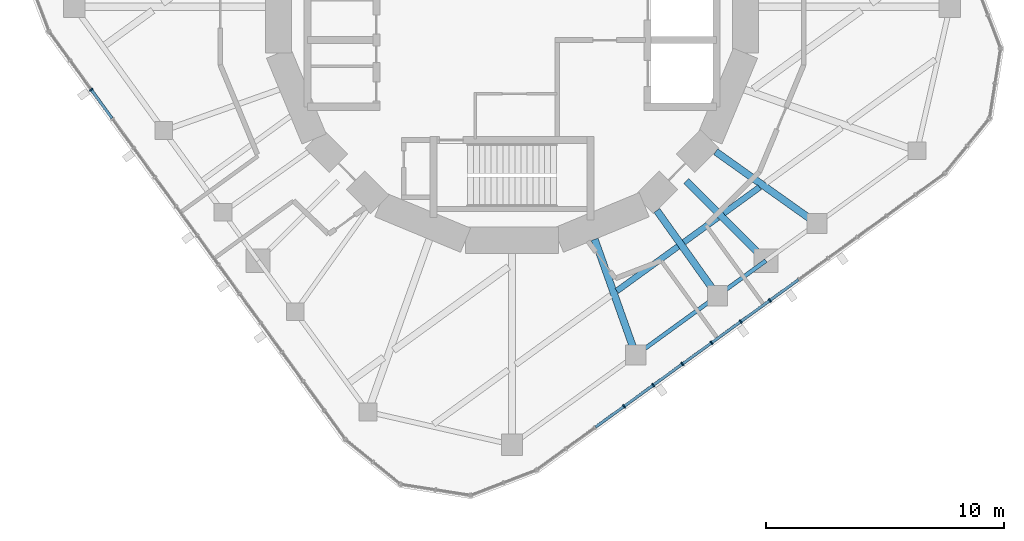
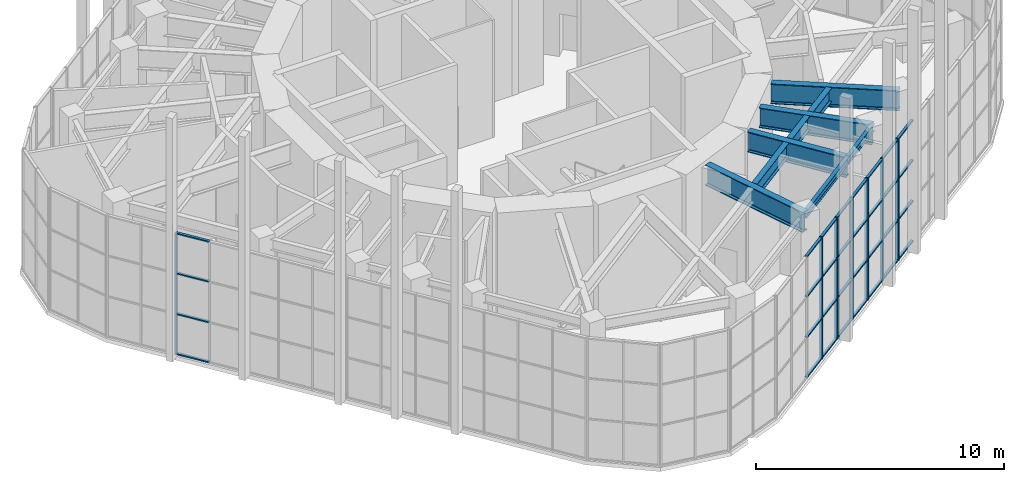
# One storey, part 4 of 17: 39 members, 9 beams, 2 elements without a shape of their own.
"""IFC4 building model written with IfcOpenShell, lengths in metres."""

from ifc_helpers import new_model, si_unit, direction, frame, origin, origin_2d, place, context, subcontext, project, spatial, rectangle, i_section, extrude, material, material_profile, profile_set, type_object, element, aggregate, save


model = new_model("IFC4")

# Units and contexts
model_context = context("Model", 3, precision=1e-05, world=origin(), true_north=direction((0.0, 1.0)))
body_context = subcontext(model_context, "Body", "Model", "MODEL_VIEW")
ifc_project = project(units=[si_unit("LENGTHUNIT", "METRE"), si_unit("AREAUNIT", "SQUARE_METRE"), si_unit("VOLUMEUNIT", "CUBIC_METRE"), si_unit("PLANEANGLEUNIT", "RADIAN"), si_unit("MASSUNIT", "GRAM", prefix="KILO")], contexts=[model_context])

# Site, building, storey
site_placement = place(None, origin())
site = spatial("IfcSite", under=ifc_project, at=site_placement, CompositionType="ELEMENT")
building_placement = place(site_placement, origin())
building = spatial("IfcBuilding", under=site, at=building_placement, Name="Nakasero Lantern House", CompositionType="ELEMENT")
storey_placement = place(building_placement, frame((0.0, 0.0, 298.39990234375)))
storey = spatial("IfcBuildingStorey", under=building, at=storey_placement, Name="L73", CompositionType="ELEMENT", Elevation=298.39990234375)

# Beams
ifc_material_1 = material(Name="Steel S355", Category="steel")
ifc_material_profile_1 = material_profile(ifc_material_1, i_section(OverallWidth=0.253662109375, OverallDepth=0.68359375, WebThickness=0.012451171875, FlangeThickness=0.01904296875, FilletRadius=0.01513671875, at=origin_2d()), Name="UB 686x254x140")
ifc_profile_set_1 = profile_set([ifc_material_profile_1], Name="Steel S355")
beam_type_1 = type_object("IfcBeamType", Name="Infill beam UB 686x254x140", PredefinedType="JOIST", material=ifc_profile_set_1)
beam_1_placement = place(storey_placement, frame((4.40576171875, -11.940673828125, 5.458251953125), z_axis=(0.809038119983, 0.587756174288, 0.0), x_axis=(-0.587756174288, 0.809038119983, 0.0)))
element("IfcBeam", 1, at=beam_1_placement, inside=storey, type_object=beam_type_1, Name="Infill beam L74 03.3", PredefinedType="JOIST", context=body_context, shape_type="SweptSolid", body=[
    extrude(i_section(OverallWidth=0.253662109375, OverallDepth=0.68359375, WebThickness=0.012451171875, FlangeThickness=0.01904296875, FilletRadius=0.01513671875, at=origin_2d()), origin(), (0.0, 0.0, 1.0), 3.1796875),
])
beam_2_placement = place(storey_placement, frame((7.220947265625, -9.8955078125, 5.458251953125), z_axis=(0.80904738199, 0.587743425054, 0.0), x_axis=(-0.587743425054, 0.80904738199, 0.0)))
element("IfcBeam", 2, at=beam_2_placement, inside=storey, type_object=beam_type_1, Name="Infill beam L74 03.4", PredefinedType="JOIST", context=body_context, shape_type="SweptSolid", body=[
    extrude(i_section(OverallWidth=0.253662109375, OverallDepth=0.68359375, WebThickness=0.012451171875, FlangeThickness=0.01904296875, FilletRadius=0.01513671875, at=origin_2d()), origin(), (0.0, 0.0, 1.0), 1.762939453125),
])
beam_3_placement = place(storey_placement, frame((8.892822265625, -8.6806640625, 5.458251953125), z_axis=(0.809080675426, 0.587697592859, 0.0), x_axis=(-0.587697592859, 0.809080675426, 0.0)))
element("IfcBeam", 3, at=beam_3_placement, inside=storey, type_object=beam_type_1, Name="Infill beam L74 03.5", PredefinedType="JOIST", context=body_context, shape_type="SweptSolid", body=[
    extrude(i_section(OverallWidth=0.253662109375, OverallDepth=0.68359375, WebThickness=0.012451171875, FlangeThickness=0.01904296875, FilletRadius=0.01513671875, at=origin_2d()), origin(), (0.0, 0.0, 1.0), 1.8681640625),
])

# Curtain wall, member
ifc_material_2 = material(Name="Aluminium 6063-T6 and glass", Category="aluminium")
curtain_wall_type = type_object("IfcCurtainWallType", Name="Lantern glazing CW-4", PredefinedType="USERDEFINED", material=ifc_material_2)
curtain_wall_1_placement = place(storey_placement, origin())
curtain_wall_1 = element("IfcCurtainWall", 4, at=curtain_wall_1_placement, inside=storey, type_object=curtain_wall_type, Name="Curtain wall CW-4 L73", ObjectType="UNITISED CURTAIN WALL", PredefinedType="USERDEFINED")
ifc_material_3 = material(Name="Aluminium 6063-T6", Category="aluminium")
ifc_material_profile_2 = material_profile(ifc_material_3, rectangle(XDim=0.06005859375, YDim=0.159912109375, at=origin_2d()), Name="CW-4 mullion 60x160")
ifc_profile_set_2 = profile_set([ifc_material_profile_2], Name="Aluminium 6063-T6")
member_type_1 = type_object("IfcMemberType", Name="Mullion CW-4", PredefinedType="MULLION", material=ifc_profile_set_2)
member_1_placement = place(storey_placement, frame((-17.677734375, -3.48486328125, 0.0), z_axis=(0.0, 0.0, 1.0), x_axis=(0.587785252292, -0.809016994375, 0.0)))
member_1 = element("IfcMember", 5, at=member_1_placement, type_object=member_type_1, Name="CW-4 mullion 3", PredefinedType="MULLION", context=body_context, shape_type="SweptSolid", body=[
    extrude(rectangle(XDim=0.06005859375, YDim=0.159912109375, at=origin_2d()), origin(), (0.0, 0.0, 1.0), 6.0),
])

# Curtain wall, members
curtain_wall_2_placement = place(storey_placement, origin())
curtain_wall_2 = element("IfcCurtainWall", 6, at=curtain_wall_2_placement, inside=storey, type_object=curtain_wall_type, Name="Curtain wall CW-4 L73", ObjectType="UNITISED CURTAIN WALL", PredefinedType="USERDEFINED")
member_2_placement = place(storey_placement, frame((4.7099609375, -16.787841796875, 0.0), z_axis=(0.0, 0.0, 1.0), x_axis=(0.809016994375, 0.587785252292, 0.0)))
member_2 = element("IfcMember", 7, at=member_2_placement, type_object=member_type_1, Name="CW-4 mullion 4", PredefinedType="MULLION", context=body_context, shape_type="SweptSolid", body=[
    extrude(rectangle(XDim=0.06005859375, YDim=0.159912109375, at=origin_2d()), origin(), (0.0, 0.0, 1.0), 6.0),
])
member_3_placement = place(storey_placement, frame((5.93505859375, -15.897705078125, 0.0), z_axis=(0.0, 0.0, 1.0), x_axis=(0.809016994375, 0.587785252292, 0.0)))
member_3 = element("IfcMember", 8, at=member_3_placement, type_object=member_type_1, Name="CW-4 mullion 5", PredefinedType="MULLION", context=body_context, shape_type="SweptSolid", body=[
    extrude(rectangle(XDim=0.06005859375, YDim=0.159912109375, at=origin_2d()), origin(), (0.0, 0.0, 1.0), 6.0),
])
member_4_placement = place(storey_placement, frame((7.16015625, -15.007568359375, 0.0), z_axis=(0.0, 0.0, 1.0), x_axis=(0.809016994375, 0.587785252292, 0.0)))
member_4 = element("IfcMember", 9, at=member_4_placement, type_object=member_type_1, Name="CW-4 mullion 6", PredefinedType="MULLION", context=body_context, shape_type="SweptSolid", body=[
    extrude(rectangle(XDim=0.06005859375, YDim=0.159912109375, at=origin_2d()), origin(), (0.0, 0.0, 1.0), 6.0),
])
member_5_placement = place(storey_placement, frame((8.38525390625, -14.117431640625, 0.0), z_axis=(0.0, 0.0, 1.0), x_axis=(0.809016994375, 0.587785252292, 0.0)))
member_5 = element("IfcMember", 10, at=member_5_placement, type_object=member_type_1, Name="CW-4 mullion 7", PredefinedType="MULLION", context=body_context, shape_type="SweptSolid", body=[
    extrude(rectangle(XDim=0.06005859375, YDim=0.159912109375, at=origin_2d()), origin(), (0.0, 0.0, 1.0), 6.0),
])
member_6_placement = place(storey_placement, frame((9.6103515625, -13.2275390625, 0.0), z_axis=(0.0, 0.0, 1.0), x_axis=(0.809016994375, 0.587785252292, 0.0)))
member_6 = element("IfcMember", 11, at=member_6_placement, type_object=member_type_1, Name="CW-4 mullion 8", PredefinedType="MULLION", context=body_context, shape_type="SweptSolid", body=[
    extrude(rectangle(XDim=0.06005859375, YDim=0.159912109375, at=origin_2d()), origin(), (0.0, 0.0, 1.0), 6.0),
])
member_7_placement = place(storey_placement, frame((10.83544921875, -12.33740234375, 0.0), z_axis=(0.0, 0.0, 1.0), x_axis=(0.809016994375, 0.587785252292, 0.0)))
member_7 = element("IfcMember", 12, at=member_7_placement, type_object=member_type_1, Name="CW-4 mullion 9", PredefinedType="MULLION", context=body_context, shape_type="SweptSolid", body=[
    extrude(rectangle(XDim=0.06005859375, YDim=0.159912109375, at=origin_2d()), origin(), (0.0, 0.0, 1.0), 6.0),
])

# Beams
ifc_material_4 = material(Name="Steel S355", Category="steel")
ifc_material_profile_3 = material_profile(ifc_material_4, i_section(OverallWidth=0.300048828125, OverallDepth=0.97998046875, WebThickness=0.0166015625, FlangeThickness=0.02587890625, FilletRadius=0.030029296875, at=origin_2d()), Name="UB 1016x305x249")
ifc_profile_set_3 = profile_set([ifc_material_profile_3], Name="Steel S355")
beam_type_2 = type_object("IfcBeamType", Name="Primary beam UB 1016x305x249, span to 6 m", PredefinedType="BEAM", material=ifc_profile_set_3)
beam_4_placement = place(storey_placement, frame((10.667236328125, -10.667236328125, 5.31005859375), z_axis=(-0.707106781187, 0.707106781187, 0.0), x_axis=(-0.707106781187, -0.707106781187, 0.0)))
element("IfcBeam", 13, at=beam_4_placement, inside=storey, type_object=beam_type_2, Name="Primary beam L74 B7-C24", PredefinedType="BEAM", context=body_context, shape_type="SweptSolid", body=[
    extrude(i_section(OverallWidth=0.300048828125, OverallDepth=0.97998046875, WebThickness=0.0166015625, FlangeThickness=0.02587890625, FilletRadius=0.030029296875, at=origin_2d()), origin(), (0.0, 0.0, 1.0), 4.727783203125),
])
ifc_material_5 = material(Name="Steel S355", Category="steel")
ifc_material_profile_4 = material_profile(ifc_material_5, i_section(OverallWidth=0.300048828125, OverallDepth=0.989990234375, WebThickness=0.0166015625, FlangeThickness=0.031005859375, FilletRadius=0.030029296875, at=origin_2d()), Name="UB 1016x305x272")
ifc_profile_set_4 = profile_set([ifc_material_profile_4], Name="Steel S355")
beam_type_3 = type_object("IfcBeamType", Name="Primary beam UB 1016x305x272, span to 6 m", PredefinedType="BEAM", material=ifc_profile_set_4)
beam_5_placement = place(storey_placement, frame((12.810791015625, -9.10986328125, 5.304931640625), z_axis=(-0.814971537688, 0.579500985986, 0.0), x_axis=(-0.579500985986, -0.814971537688, 0.0)))
element("IfcBeam", 14, at=beam_5_placement, inside=storey, type_object=beam_type_3, Name="Primary beam L74 B7-C01", PredefinedType="BEAM", context=body_context, shape_type="SweptSolid", body=[
    extrude(i_section(OverallWidth=0.300048828125, OverallDepth=0.989990234375, WebThickness=0.0166015625, FlangeThickness=0.031005859375, FilletRadius=0.030029296875, at=origin_2d()), origin(), (0.0, 0.0, 1.0), 5.215087890625),
])
ifc_material_6 = material(Name="Steel S355", Category="steel")
ifc_material_profile_5 = material_profile(ifc_material_6, i_section(OverallWidth=0.300048828125, OverallDepth=1.0, WebThickness=0.01904296875, FlangeThickness=0.035888671875, FilletRadius=0.030029296875, at=origin_2d()), Name="UB 1016x305x314")
ifc_profile_set_5 = profile_set([ifc_material_profile_5], Name="Steel S355")
beam_type_4 = type_object("IfcBeamType", Name="Primary beam UB 1016x305x314, span to 6 m", PredefinedType="BEAM", material=ifc_profile_set_5)
beam_6_placement = place(storey_placement, frame((8.63525390625, -12.1435546875, 5.300048828125), z_axis=(-0.579477068537, 0.814988544116, 0.0), x_axis=(-0.814988544116, -0.579477068537, 0.0)))
element("IfcBeam", 15, at=beam_6_placement, inside=storey, type_object=beam_type_4, Name="Primary beam L74 B7-C23", PredefinedType="BEAM", context=body_context, shape_type="SweptSolid", body=[
    extrude(i_section(OverallWidth=0.300048828125, OverallDepth=1.0, WebThickness=0.01904296875, FlangeThickness=0.035888671875, FilletRadius=0.030029296875, at=origin_2d()), origin(), (0.0, 0.0, 1.0), 4.396484375),
])
ifc_material_7 = material(Name="Steel S355", Category="steel")
ifc_material_profile_6 = material_profile(ifc_material_7, i_section(OverallWidth=0.302001953125, OverallDepth=1.008056640625, WebThickness=0.02099609375, FlangeThickness=0.0400390625, FilletRadius=0.030029296875, at=origin_2d()), Name="UB 1016x305x349")
ifc_profile_set_6 = profile_set([ifc_material_profile_6], Name="Steel S355")
beam_type_5 = type_object("IfcBeamType", Name="Primary beam UB 1016x305x349, span to 6 m", PredefinedType="BEAM", material=ifc_profile_set_6)
beam_7_placement = place(storey_placement, frame((5.2041015625, -14.636474609375, 5.296142578125), z_axis=(-0.3349910093, 0.942221324153, 0.0), x_axis=(-0.942221324153, -0.3349910093, 0.0)))
element("IfcBeam", 16, at=beam_7_placement, inside=storey, type_object=beam_type_5, Name="Primary beam L74 B7-C22", PredefinedType="BEAM", context=body_context, shape_type="SweptSolid", body=[
    extrude(i_section(OverallWidth=0.302001953125, OverallDepth=1.008056640625, WebThickness=0.02099609375, FlangeThickness=0.0400390625, FilletRadius=0.030029296875, at=origin_2d()), origin(), (0.0, 0.0, 1.0), 5.162841796875),
])
ifc_material_8 = material(Name="Steel S355", Category="steel")
ifc_material_profile_7 = material_profile(ifc_material_8, i_section(OverallWidth=0.17138671875, OverallDepth=0.35498046875, WebThickness=0.00732421875, FlangeThickness=0.011474609375, FilletRadius=0.01025390625, at=origin_2d()), Name="UB 356x171x51")
ifc_profile_set_7 = profile_set([ifc_material_profile_7], Name="Steel S355")
beam_type_6 = type_object("IfcBeamType", Name="Ring beam UB 356x171x51", PredefinedType="BEAM", material=ifc_profile_set_7)
beam_8_placement = place(storey_placement, frame((5.2041015625, -14.636474609375, 5.62255859375), z_axis=(0.809012304944, 0.587791706687, 0.0), x_axis=(-0.587791706687, 0.809012304944, 0.0)))
element("IfcBeam", 17, at=beam_8_placement, inside=storey, type_object=beam_type_6, Name="Ring beam L74 B7-C22", PredefinedType="BEAM", context=body_context, shape_type="SweptSolid", body=[
    extrude(i_section(OverallWidth=0.17138671875, OverallDepth=0.35498046875, WebThickness=0.00732421875, FlangeThickness=0.011474609375, FilletRadius=0.01025390625, at=origin_2d()), origin(), (0.0, 0.0, 1.0), 4.2412109375),
])
beam_9_placement = place(storey_placement, frame((8.63525390625, -12.1435546875, 5.62255859375), z_axis=(0.809017616558, 0.58778439593, 0.0), x_axis=(-0.58778439593, 0.809017616558, 0.0)))
element("IfcBeam", 18, at=beam_9_placement, inside=storey, type_object=beam_type_6, Name="Ring beam L74 B7-C23", PredefinedType="BEAM", context=body_context, shape_type="SweptSolid", body=[
    extrude(i_section(OverallWidth=0.17138671875, OverallDepth=0.35498046875, WebThickness=0.00732421875, FlangeThickness=0.011474609375, FilletRadius=0.01025390625, at=origin_2d()), origin(), (0.0, 0.0, 1.0), 2.51171875),
])

# Member
ifc_material_9 = material(Name="Aluminium 6063-T6", Category="aluminium")
ifc_material_profile_8 = material_profile(ifc_material_9, rectangle(XDim=0.06005859375, YDim=0.1201171875, at=origin_2d()), Name="CW-4 transom 60x120")
ifc_profile_set_8 = profile_set([ifc_material_profile_8], Name="Aluminium 6063-T6")
member_type_2 = type_object("IfcMemberType", Name="Transom CW-4", PredefinedType="USERDEFINED", material=ifc_profile_set_8)
member_8_placement = place(storey_placement, frame((-17.66015625, -3.509033203125, 0.030029296875), z_axis=(0.587682523869, -0.809091620979, 0.0), x_axis=(0.0, 0.0, 1.0)))
member_8 = element("IfcMember", 19, at=member_8_placement, type_object=member_type_2, Name="CW-4 transom 3.1", ObjectType="TRANSOM", PredefinedType="USERDEFINED", context=body_context, shape_type="SweptSolid", body=[
    extrude(rectangle(XDim=0.06005859375, YDim=0.1201171875, at=origin_2d()), origin(), (0.0, 0.0, 1.0), 1.454345703125),
])

member_9_placement = place(storey_placement, frame((-17.66015625, -3.509033203125, 2.0), z_axis=(0.587682523869, -0.809091620979, 0.0), x_axis=(0.0, 0.0, 1.0)))
member_9 = element("IfcMember", 20, at=member_9_placement, type_object=member_type_2, Name="CW-4 transom 3.2", ObjectType="TRANSOM", PredefinedType="USERDEFINED", context=body_context, shape_type="SweptSolid", body=[
    extrude(rectangle(XDim=0.06005859375, YDim=0.1201171875, at=origin_2d()), origin(), (0.0, 0.0, 1.0), 1.454345703125),
])

member_10_placement = place(storey_placement, frame((-17.66015625, -3.509033203125, 4.0), z_axis=(0.587682523869, -0.809091620979, 0.0), x_axis=(0.0, 0.0, 1.0)))
member_10 = element("IfcMember", 21, at=member_10_placement, type_object=member_type_2, Name="CW-4 transom 3.3", ObjectType="TRANSOM", PredefinedType="USERDEFINED", context=body_context, shape_type="SweptSolid", body=[
    extrude(rectangle(XDim=0.06005859375, YDim=0.1201171875, at=origin_2d()), origin(), (0.0, 0.0, 1.0), 1.454345703125),
])

member_11_placement = place(storey_placement, frame((-17.66015625, -3.509033203125, 5.97021484375), z_axis=(0.587682523869, -0.809091620979, 0.0), x_axis=(0.0, 0.0, 1.0)))
member_11 = element("IfcMember", 22, at=member_11_placement, type_object=member_type_2, Name="CW-4 transom 3.4", ObjectType="TRANSOM", PredefinedType="USERDEFINED", context=body_context, shape_type="SweptSolid", body=[
    extrude(rectangle(XDim=0.06005859375, YDim=0.1201171875, at=origin_2d()), origin(), (0.0, 0.0, 1.0), 1.454345703125),
])

aggregate(curtain_wall_1, [member_1, member_8, member_9, member_10, member_11])

member_12_placement = place(storey_placement, frame((3.509033203125, -17.66015625, 0.030029296875), z_axis=(0.809091620979, 0.587682523869, 0.0), x_axis=(0.0, 0.0, 1.0)))
member_12 = element("IfcMember", 23, at=member_12_placement, type_object=member_type_2, Name="CW-4 transom 3.1", ObjectType="TRANSOM", PredefinedType="USERDEFINED", context=body_context, shape_type="SweptSolid", body=[
    extrude(rectangle(XDim=0.06005859375, YDim=0.1201171875, at=origin_2d()), origin(), (0.0, 0.0, 1.0), 1.454345703125),
])

member_13_placement = place(storey_placement, frame((3.509033203125, -17.66015625, 2.0), z_axis=(0.809091620979, 0.587682523869, 0.0), x_axis=(0.0, 0.0, 1.0)))
member_13 = element("IfcMember", 24, at=member_13_placement, type_object=member_type_2, Name="CW-4 transom 3.2", ObjectType="TRANSOM", PredefinedType="USERDEFINED", context=body_context, shape_type="SweptSolid", body=[
    extrude(rectangle(XDim=0.06005859375, YDim=0.1201171875, at=origin_2d()), origin(), (0.0, 0.0, 1.0), 1.454345703125),
])

member_14_placement = place(storey_placement, frame((3.509033203125, -17.66015625, 4.0), z_axis=(0.809091620979, 0.587682523869, 0.0), x_axis=(0.0, 0.0, 1.0)))
member_14 = element("IfcMember", 25, at=member_14_placement, type_object=member_type_2, Name="CW-4 transom 3.3", ObjectType="TRANSOM", PredefinedType="USERDEFINED", context=body_context, shape_type="SweptSolid", body=[
    extrude(rectangle(XDim=0.06005859375, YDim=0.1201171875, at=origin_2d()), origin(), (0.0, 0.0, 1.0), 1.454345703125),
])

member_15_placement = place(storey_placement, frame((3.509033203125, -17.66015625, 5.97021484375), z_axis=(0.809091620979, 0.587682523869, 0.0), x_axis=(0.0, 0.0, 1.0)))
member_15 = element("IfcMember", 26, at=member_15_placement, type_object=member_type_2, Name="CW-4 transom 3.4", ObjectType="TRANSOM", PredefinedType="USERDEFINED", context=body_context, shape_type="SweptSolid", body=[
    extrude(rectangle(XDim=0.06005859375, YDim=0.1201171875, at=origin_2d()), origin(), (0.0, 0.0, 1.0), 1.454345703125),
])

member_16_placement = place(storey_placement, frame((4.734130859375, -16.77001953125, 0.030029296875), z_axis=(0.809091620979, 0.587682523869, 0.0), x_axis=(0.0, 0.0, 1.0)))
member_16 = element("IfcMember", 27, at=member_16_placement, type_object=member_type_2, Name="CW-4 transom 4.1", ObjectType="TRANSOM", PredefinedType="USERDEFINED", context=body_context, shape_type="SweptSolid", body=[
    extrude(rectangle(XDim=0.06005859375, YDim=0.1201171875, at=origin_2d()), origin(), (0.0, 0.0, 1.0), 1.454345703125),
])

member_17_placement = place(storey_placement, frame((4.734130859375, -16.77001953125, 2.0), z_axis=(0.809091620979, 0.587682523869, 0.0), x_axis=(0.0, 0.0, 1.0)))
member_17 = element("IfcMember", 28, at=member_17_placement, type_object=member_type_2, Name="CW-4 transom 4.2", ObjectType="TRANSOM", PredefinedType="USERDEFINED", context=body_context, shape_type="SweptSolid", body=[
    extrude(rectangle(XDim=0.06005859375, YDim=0.1201171875, at=origin_2d()), origin(), (0.0, 0.0, 1.0), 1.454345703125),
])

member_18_placement = place(storey_placement, frame((4.734130859375, -16.77001953125, 4.0), z_axis=(0.809091620979, 0.587682523869, 0.0), x_axis=(0.0, 0.0, 1.0)))
member_18 = element("IfcMember", 29, at=member_18_placement, type_object=member_type_2, Name="CW-4 transom 4.3", ObjectType="TRANSOM", PredefinedType="USERDEFINED", context=body_context, shape_type="SweptSolid", body=[
    extrude(rectangle(XDim=0.06005859375, YDim=0.1201171875, at=origin_2d()), origin(), (0.0, 0.0, 1.0), 1.454345703125),
])

member_19_placement = place(storey_placement, frame((4.734130859375, -16.77001953125, 5.97021484375), z_axis=(0.809091620979, 0.587682523869, 0.0), x_axis=(0.0, 0.0, 1.0)))
member_19 = element("IfcMember", 30, at=member_19_placement, type_object=member_type_2, Name="CW-4 transom 4.4", ObjectType="TRANSOM", PredefinedType="USERDEFINED", context=body_context, shape_type="SweptSolid", body=[
    extrude(rectangle(XDim=0.06005859375, YDim=0.1201171875, at=origin_2d()), origin(), (0.0, 0.0, 1.0), 1.454345703125),
])

member_20_placement = place(storey_placement, frame((5.959228515625, -15.880126953125, 0.030029296875), z_axis=(0.808953803009, 0.587872217916, 0.0), x_axis=(0.0, 0.0, 1.0)))
member_20 = element("IfcMember", 31, at=member_20_placement, type_object=member_type_2, Name="CW-4 transom 5.1", ObjectType="TRANSOM", PredefinedType="USERDEFINED", context=body_context, shape_type="SweptSolid", body=[
    extrude(rectangle(XDim=0.06005859375, YDim=0.1201171875, at=origin_2d()), origin(), (0.0, 0.0, 1.0), 1.454345703125),
])

member_21_placement = place(storey_placement, frame((5.959228515625, -15.880126953125, 2.0), z_axis=(0.808953803009, 0.587872217916, 0.0), x_axis=(0.0, 0.0, 1.0)))
member_21 = element("IfcMember", 32, at=member_21_placement, type_object=member_type_2, Name="CW-4 transom 5.2", ObjectType="TRANSOM", PredefinedType="USERDEFINED", context=body_context, shape_type="SweptSolid", body=[
    extrude(rectangle(XDim=0.06005859375, YDim=0.1201171875, at=origin_2d()), origin(), (0.0, 0.0, 1.0), 1.454345703125),
])

member_22_placement = place(storey_placement, frame((5.959228515625, -15.880126953125, 4.0), z_axis=(0.808953803009, 0.587872217916, 0.0), x_axis=(0.0, 0.0, 1.0)))
member_22 = element("IfcMember", 33, at=member_22_placement, type_object=member_type_2, Name="CW-4 transom 5.3", ObjectType="TRANSOM", PredefinedType="USERDEFINED", context=body_context, shape_type="SweptSolid", body=[
    extrude(rectangle(XDim=0.06005859375, YDim=0.1201171875, at=origin_2d()), origin(), (0.0, 0.0, 1.0), 1.454345703125),
])

member_23_placement = place(storey_placement, frame((5.959228515625, -15.880126953125, 5.97021484375), z_axis=(0.808953803009, 0.587872217916, 0.0), x_axis=(0.0, 0.0, 1.0)))
member_23 = element("IfcMember", 34, at=member_23_placement, type_object=member_type_2, Name="CW-4 transom 5.4", ObjectType="TRANSOM", PredefinedType="USERDEFINED", context=body_context, shape_type="SweptSolid", body=[
    extrude(rectangle(XDim=0.06005859375, YDim=0.1201171875, at=origin_2d()), origin(), (0.0, 0.0, 1.0), 1.454345703125),
])

member_24_placement = place(storey_placement, frame((7.184326171875, -14.989990234375, 0.030029296875), z_axis=(0.809033634773, 0.587762348068, 0.0), x_axis=(0.0, 0.0, 1.0)))
member_24 = element("IfcMember", 35, at=member_24_placement, type_object=member_type_2, Name="CW-4 transom 6.1", ObjectType="TRANSOM", PredefinedType="USERDEFINED", context=body_context, shape_type="SweptSolid", body=[
    extrude(rectangle(XDim=0.06005859375, YDim=0.1201171875, at=origin_2d()), origin(), (0.0, 0.0, 1.0), 1.4541015625),
])

member_25_placement = place(storey_placement, frame((7.184326171875, -14.989990234375, 2.0), z_axis=(0.809033634773, 0.587762348068, 0.0), x_axis=(0.0, 0.0, 1.0)))
member_25 = element("IfcMember", 36, at=member_25_placement, type_object=member_type_2, Name="CW-4 transom 6.2", ObjectType="TRANSOM", PredefinedType="USERDEFINED", context=body_context, shape_type="SweptSolid", body=[
    extrude(rectangle(XDim=0.06005859375, YDim=0.1201171875, at=origin_2d()), origin(), (0.0, 0.0, 1.0), 1.4541015625),
])

member_26_placement = place(storey_placement, frame((7.184326171875, -14.989990234375, 4.0), z_axis=(0.809033634773, 0.587762348068, 0.0), x_axis=(0.0, 0.0, 1.0)))
member_26 = element("IfcMember", 37, at=member_26_placement, type_object=member_type_2, Name="CW-4 transom 6.3", ObjectType="TRANSOM", PredefinedType="USERDEFINED", context=body_context, shape_type="SweptSolid", body=[
    extrude(rectangle(XDim=0.06005859375, YDim=0.1201171875, at=origin_2d()), origin(), (0.0, 0.0, 1.0), 1.4541015625),
])

member_27_placement = place(storey_placement, frame((7.184326171875, -14.989990234375, 5.97021484375), z_axis=(0.809033634773, 0.587762348068, 0.0), x_axis=(0.0, 0.0, 1.0)))
member_27 = element("IfcMember", 38, at=member_27_placement, type_object=member_type_2, Name="CW-4 transom 6.4", ObjectType="TRANSOM", PredefinedType="USERDEFINED", context=body_context, shape_type="SweptSolid", body=[
    extrude(rectangle(XDim=0.06005859375, YDim=0.1201171875, at=origin_2d()), origin(), (0.0, 0.0, 1.0), 1.4541015625),
])

member_28_placement = place(storey_placement, frame((8.409423828125, -14.099853515625, 0.030029296875), z_axis=(0.809033634773, 0.587762348068, 0.0), x_axis=(0.0, 0.0, 1.0)))
member_28 = element("IfcMember", 39, at=member_28_placement, type_object=member_type_2, Name="CW-4 transom 7.1", ObjectType="TRANSOM", PredefinedType="USERDEFINED", context=body_context, shape_type="SweptSolid", body=[
    extrude(rectangle(XDim=0.06005859375, YDim=0.1201171875, at=origin_2d()), origin(), (0.0, 0.0, 1.0), 1.4541015625),
])

member_29_placement = place(storey_placement, frame((8.409423828125, -14.099853515625, 2.0), z_axis=(0.809033634773, 0.587762348068, 0.0), x_axis=(0.0, 0.0, 1.0)))
member_29 = element("IfcMember", 40, at=member_29_placement, type_object=member_type_2, Name="CW-4 transom 7.2", ObjectType="TRANSOM", PredefinedType="USERDEFINED", context=body_context, shape_type="SweptSolid", body=[
    extrude(rectangle(XDim=0.06005859375, YDim=0.1201171875, at=origin_2d()), origin(), (0.0, 0.0, 1.0), 1.4541015625),
])

member_30_placement = place(storey_placement, frame((8.409423828125, -14.099853515625, 4.0), z_axis=(0.809033634773, 0.587762348068, 0.0), x_axis=(0.0, 0.0, 1.0)))
member_30 = element("IfcMember", 41, at=member_30_placement, type_object=member_type_2, Name="CW-4 transom 7.3", ObjectType="TRANSOM", PredefinedType="USERDEFINED", context=body_context, shape_type="SweptSolid", body=[
    extrude(rectangle(XDim=0.06005859375, YDim=0.1201171875, at=origin_2d()), origin(), (0.0, 0.0, 1.0), 1.4541015625),
])

member_31_placement = place(storey_placement, frame((8.409423828125, -14.099853515625, 5.97021484375), z_axis=(0.809033634773, 0.587762348068, 0.0), x_axis=(0.0, 0.0, 1.0)))
member_31 = element("IfcMember", 42, at=member_31_placement, type_object=member_type_2, Name="CW-4 transom 7.4", ObjectType="TRANSOM", PredefinedType="USERDEFINED", context=body_context, shape_type="SweptSolid", body=[
    extrude(rectangle(XDim=0.06005859375, YDim=0.1201171875, at=origin_2d()), origin(), (0.0, 0.0, 1.0), 1.4541015625),
])

member_32_placement = place(storey_placement, frame((9.634521484375, -13.209716796875, 0.030029296875), z_axis=(0.809033634773, 0.587762348068, 0.0), x_axis=(0.0, 0.0, 1.0)))
member_32 = element("IfcMember", 43, at=member_32_placement, type_object=member_type_2, Name="CW-4 transom 8.1", ObjectType="TRANSOM", PredefinedType="USERDEFINED", context=body_context, shape_type="SweptSolid", body=[
    extrude(rectangle(XDim=0.06005859375, YDim=0.1201171875, at=origin_2d()), origin(), (0.0, 0.0, 1.0), 1.4541015625),
])

member_33_placement = place(storey_placement, frame((9.634521484375, -13.209716796875, 2.0), z_axis=(0.809033634773, 0.587762348068, 0.0), x_axis=(0.0, 0.0, 1.0)))
member_33 = element("IfcMember", 44, at=member_33_placement, type_object=member_type_2, Name="CW-4 transom 8.2", ObjectType="TRANSOM", PredefinedType="USERDEFINED", context=body_context, shape_type="SweptSolid", body=[
    extrude(rectangle(XDim=0.06005859375, YDim=0.1201171875, at=origin_2d()), origin(), (0.0, 0.0, 1.0), 1.4541015625),
])

member_34_placement = place(storey_placement, frame((9.634521484375, -13.209716796875, 4.0), z_axis=(0.809033634773, 0.587762348068, 0.0), x_axis=(0.0, 0.0, 1.0)))
member_34 = element("IfcMember", 45, at=member_34_placement, type_object=member_type_2, Name="CW-4 transom 8.3", ObjectType="TRANSOM", PredefinedType="USERDEFINED", context=body_context, shape_type="SweptSolid", body=[
    extrude(rectangle(XDim=0.06005859375, YDim=0.1201171875, at=origin_2d()), origin(), (0.0, 0.0, 1.0), 1.4541015625),
])

member_35_placement = place(storey_placement, frame((9.634521484375, -13.209716796875, 5.97021484375), z_axis=(0.809033634773, 0.587762348068, 0.0), x_axis=(0.0, 0.0, 1.0)))
member_35 = element("IfcMember", 46, at=member_35_placement, type_object=member_type_2, Name="CW-4 transom 8.4", ObjectType="TRANSOM", PredefinedType="USERDEFINED", context=body_context, shape_type="SweptSolid", body=[
    extrude(rectangle(XDim=0.06005859375, YDim=0.1201171875, at=origin_2d()), origin(), (0.0, 0.0, 1.0), 1.4541015625),
])

member_36_placement = place(storey_placement, frame((10.859619140625, -12.31982421875, 0.030029296875), z_axis=(0.808953803009, 0.587872217916, 0.0), x_axis=(0.0, 0.0, 1.0)))
member_36 = element("IfcMember", 47, at=member_36_placement, type_object=member_type_2, Name="CW-4 transom 9.1", ObjectType="TRANSOM", PredefinedType="USERDEFINED", context=body_context, shape_type="SweptSolid", body=[
    extrude(rectangle(XDim=0.06005859375, YDim=0.1201171875, at=origin_2d()), origin(), (0.0, 0.0, 1.0), 1.454345703125),
])

member_37_placement = place(storey_placement, frame((10.859619140625, -12.31982421875, 2.0), z_axis=(0.808953803009, 0.587872217916, 0.0), x_axis=(0.0, 0.0, 1.0)))
member_37 = element("IfcMember", 48, at=member_37_placement, type_object=member_type_2, Name="CW-4 transom 9.2", ObjectType="TRANSOM", PredefinedType="USERDEFINED", context=body_context, shape_type="SweptSolid", body=[
    extrude(rectangle(XDim=0.06005859375, YDim=0.1201171875, at=origin_2d()), origin(), (0.0, 0.0, 1.0), 1.454345703125),
])

member_38_placement = place(storey_placement, frame((10.859619140625, -12.31982421875, 4.0), z_axis=(0.808953803009, 0.587872217916, 0.0), x_axis=(0.0, 0.0, 1.0)))
member_38 = element("IfcMember", 49, at=member_38_placement, type_object=member_type_2, Name="CW-4 transom 9.3", ObjectType="TRANSOM", PredefinedType="USERDEFINED", context=body_context, shape_type="SweptSolid", body=[
    extrude(rectangle(XDim=0.06005859375, YDim=0.1201171875, at=origin_2d()), origin(), (0.0, 0.0, 1.0), 1.454345703125),
])

member_39_placement = place(storey_placement, frame((10.859619140625, -12.31982421875, 5.97021484375), z_axis=(0.808953803009, 0.587872217916, 0.0), x_axis=(0.0, 0.0, 1.0)))
member_39 = element("IfcMember", 50, at=member_39_placement, type_object=member_type_2, Name="CW-4 transom 9.4", ObjectType="TRANSOM", PredefinedType="USERDEFINED", context=body_context, shape_type="SweptSolid", body=[
    extrude(rectangle(XDim=0.06005859375, YDim=0.1201171875, at=origin_2d()), origin(), (0.0, 0.0, 1.0), 1.454345703125),
])

aggregate(curtain_wall_2, [member_2, member_3, member_4, member_5, member_6, member_7, member_12, member_13, member_14, member_15, member_16, member_17, member_18, member_19, member_20, member_21, member_22, member_23, member_24, member_25, member_26, member_27, member_28, member_29, member_30, member_31, member_32, member_33, member_34, member_35, member_36, member_37, member_38, member_39])

save(model, "model.ifc")
